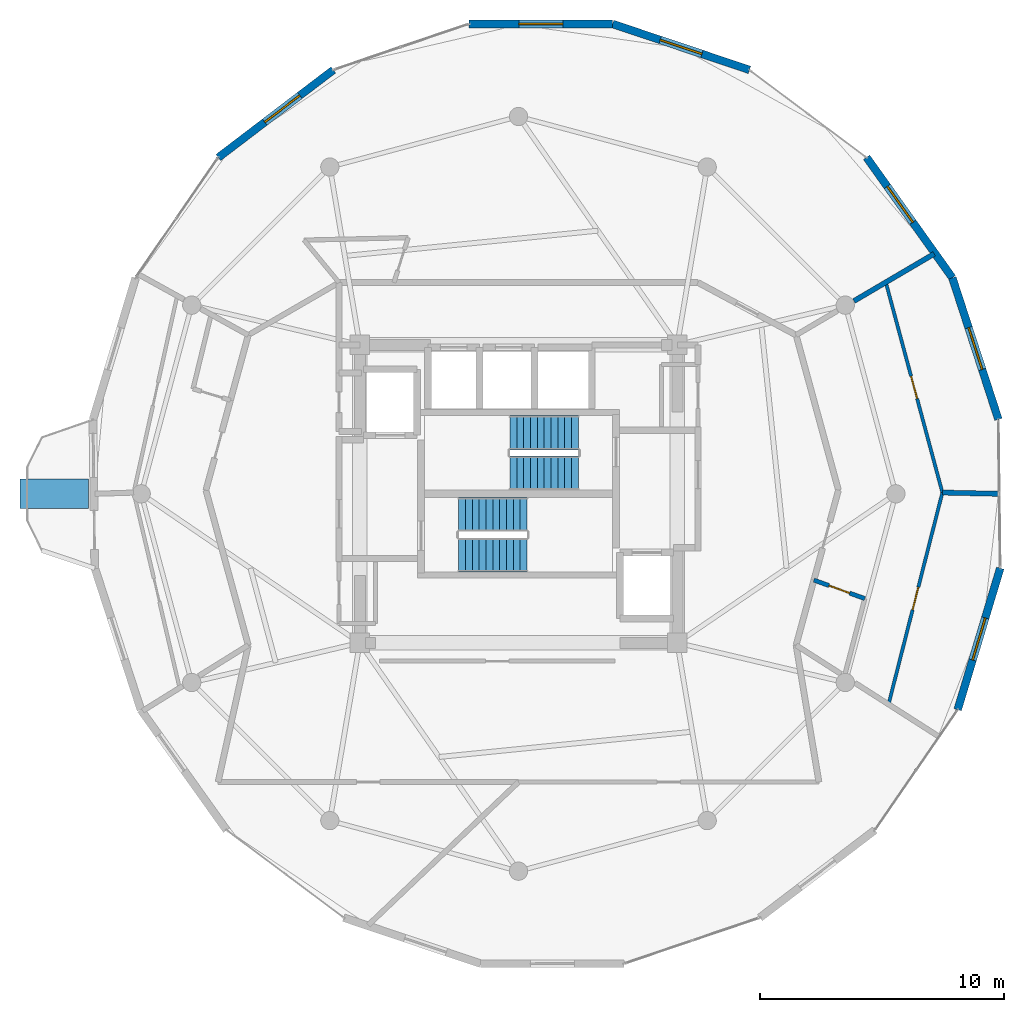
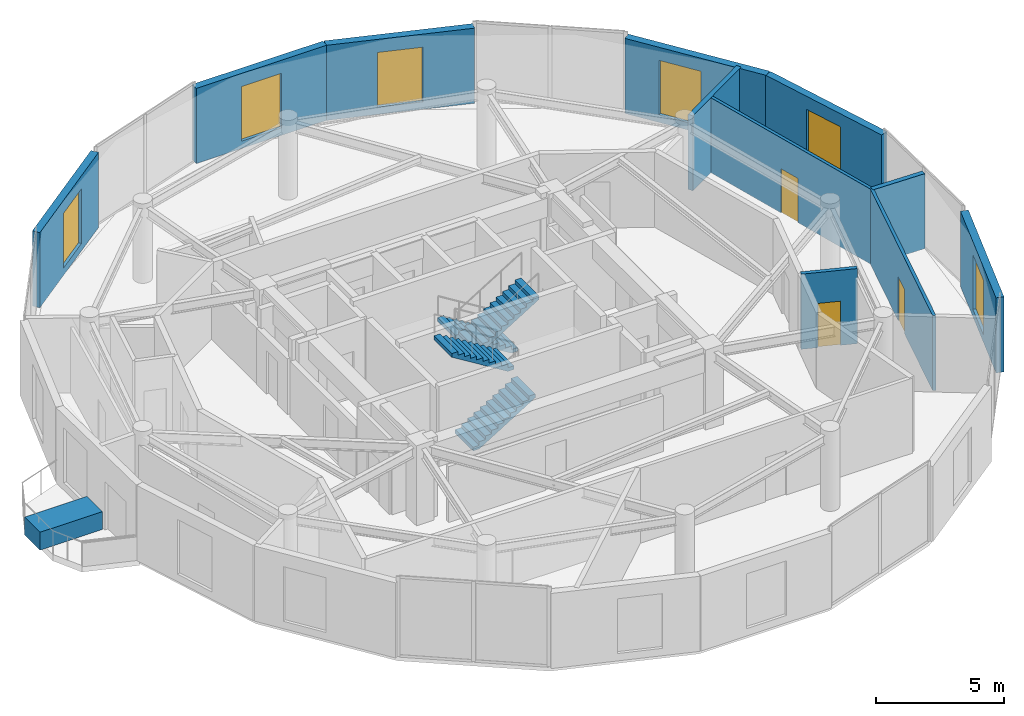
# One storey, part 16 of 18: 11 walls, 6 windows, 4 stair flights, 3 doors, 1 discrete accessory, 9 openings, 2 elements without a shape of their own.
"""IFC4 building model written with IfcOpenShell, lengths in metres."""

from ifc_helpers import new_model, si_unit, direction, frame, frame_2d, origin, origin_2d, place, context, subcontext, project, spatial, polyline, rectangle, outline, extrude, material, layer, layer_set, type_object, element, fill, aggregate, save


model = new_model("IFC4")

# Units and contexts
model_context = context("Model", 3, precision=1e-05, world=origin(), true_north=direction((0.0, 1.0)))
body_context = subcontext(model_context, "Body", "Model", "MODEL_VIEW")
ifc_project = project(units=[si_unit("LENGTHUNIT", "METRE"), si_unit("AREAUNIT", "SQUARE_METRE"), si_unit("VOLUMEUNIT", "CUBIC_METRE"), si_unit("PLANEANGLEUNIT", "RADIAN"), si_unit("MASSUNIT", "GRAM", prefix="KILO")], contexts=[model_context])

# Site, building, storey
site_placement = place(None, origin())
site = spatial("IfcSite", under=ifc_project, at=site_placement, CompositionType="ELEMENT")
building_placement = place(site_placement, origin())
building = spatial("IfcBuilding", under=site, at=building_placement, Name="Solvirekh Grand Hotel", CompositionType="ELEMENT")
storey_placement = place(building_placement, frame((0.0, 0.0, 250.60009765625)))
storey = spatial("IfcBuildingStorey", under=building, at=storey_placement, Name="L65", CompositionType="ELEMENT", Elevation=250.60009765625)

# Wall, opening, window
ifc_material_1 = material(Name="Precast concrete C45/55", Category="concrete")
ifc_layer_1 = layer(ifc_material_1, 0.320068359375)
ifc_layer_set_1 = layer_set([ifc_layer_1], Name="Precast concrete C45/55")
wall_type_1 = type_object("IfcWallType", Name="ExtLobbyWall_RC320", PredefinedType="SOLIDWALL", material=ifc_layer_set_1)
wall_1_placement = place(storey_placement, frame((19.72509765625, -3.044921875, 0.0), z_axis=(0.0, 0.0, 1.0), x_axis=(-0.288106265848, -0.957598443806, 0.0)))
wall_1 = element("IfcWall", 1, at=wall_1_placement, inside=storey, type_object=wall_type_1, Name="L65 exterior structural wall chord 4", PredefinedType="SOLIDWALL", context=body_context, shape_type="SweptSolid", body=[
    extrude(rectangle(XDim=6.0537109375, YDim=0.320068359375, at=frame_2d((3.02685546875, 0.0))), origin(), (0.0, 0.0, 1.0), 3.56982421875),
])
opening_1_placement = place(wall_1_placement, frame((2.126953125, 0.0, 0.35009765625)))
opening_1 = element("IfcOpeningElement", 2, at=opening_1_placement, cuts=wall_1, Name="Opening W02", PredefinedType="OPENING", context=body_context, shape_type="SweptSolid", body=[
    extrude(rectangle(XDim=1.800048828125, YDim=2.60009765625, at=frame_2d((0.89990234375, 1.300048828125))), frame((0.0, 0.169921875, 0.0), z_axis=(0.0, -1.0, 0.0), x_axis=(1.0, 0.0, 0.0)), (0.0, 0.0, 1.0), 0.340087890625),
])
ifc_material_2 = material(Name="Low-E Tinted Bronze Laminated Glass", Category="aluminium")
window_type = type_object("IfcWindowType", Name="Win_LobbyExt_1800X2600", PartitioningType="SINGLE_PANEL", PredefinedType="WINDOW", material=ifc_material_2)
window_1_placement = place(opening_1_placement, origin())
window_1 = element("IfcWindow", 3, at=window_1_placement, inside=storey, type_object=window_type, Name="L65 panoramic bronze-framed window 4", OverallHeight=2.60009765625, OverallWidth=1.800048828125, PartitioningType="SINGLE_PANEL", PredefinedType="WINDOW", context=body_context, shape_type="SweptSolid", body=[
    extrude(rectangle(XDim=1.800048828125, YDim=2.60009765625, at=frame_2d((0.89990234375, 1.300048828125))), frame((0.0, 0.030029296875, 0.0), z_axis=(0.0, -1.0, 0.0), x_axis=(1.0, 0.0, 0.0)), (0.0, 0.0, 1.0), 0.06005859375),
])
fill(opening_1, window_1)

wall_2_placement = place(storey_placement, frame((17.764892578125, 8.845947265625, 0.0), z_axis=(0.0, 0.0, 1.0), x_axis=(0.309238214559, -0.950984609053, 0.0)))
wall_2 = element("IfcWall", 4, at=wall_2_placement, inside=storey, type_object=wall_type_1, Name="L65 exterior structural wall chord 6", PredefinedType="SOLIDWALL", context=body_context, shape_type="SweptSolid", body=[
    extrude(rectangle(XDim=6.095703125, YDim=0.320068359375, at=frame_2d((3.0478515625, 0.0))), origin(), (0.0, 0.0, 1.0), 3.56982421875),
])
opening_2_placement = place(wall_2_placement, frame((2.14794921875, 0.0, 0.35009765625)))
opening_2 = element("IfcOpeningElement", 5, at=opening_2_placement, cuts=wall_2, Name="Opening W02", PredefinedType="OPENING", context=body_context, shape_type="SweptSolid", body=[
    extrude(rectangle(XDim=1.800048828125, YDim=2.60009765625, at=frame_2d((0.89990234375, 1.300048828125))), frame((0.0, 0.169921875, 0.0), z_axis=(0.0, -1.0, 0.0), x_axis=(1.0, 0.0, 0.0)), (0.0, 0.0, 1.0), 0.340087890625),
])
window_2_placement = place(opening_2_placement, origin())
window_2 = element("IfcWindow", 6, at=window_2_placement, inside=storey, type_object=window_type, Name="L65 panoramic bronze-framed window 6", OverallHeight=2.60009765625, OverallWidth=1.800048828125, PartitioningType="SINGLE_PANEL", PredefinedType="WINDOW", context=body_context, shape_type="SweptSolid", body=[
    extrude(rectangle(XDim=1.800048828125, YDim=2.60009765625, at=frame_2d((0.89990234375, 1.300048828125))), frame((0.0, 0.030029296875, 0.0), z_axis=(0.0, -1.0, 0.0), x_axis=(1.0, 0.0, 0.0)), (0.0, 0.0, 1.0), 0.06005859375),
])
fill(opening_2, window_2)

wall_3_placement = place(storey_placement, frame((14.2529296875, 13.77587890625, 0.0), z_axis=(0.0, 0.0, 1.0), x_axis=(0.5802075705, -0.814468645888, 0.0)))
wall_3 = element("IfcWall", 7, at=wall_3_placement, inside=storey, type_object=wall_type_1, Name="L65 exterior structural wall chord 7", PredefinedType="SOLIDWALL", context=body_context, shape_type="SweptSolid", body=[
    extrude(rectangle(XDim=6.052978515625, YDim=0.320068359375, at=frame_2d((3.0263671875, 0.0))), origin(), (0.0, 0.0, 1.0), 3.56982421875),
])
opening_3_placement = place(wall_3_placement, frame((1.4609375, 0.0, 0.35009765625)))
opening_3 = element("IfcOpeningElement", 8, at=opening_3_placement, cuts=wall_3, Name="Opening W02", PredefinedType="OPENING", context=body_context, shape_type="SweptSolid", body=[
    extrude(rectangle(XDim=1.800048828125, YDim=2.60009765625, at=frame_2d((0.89990234375, 1.300048828125))), frame((0.0, 0.169921875, 0.0), z_axis=(0.0, -1.0, 0.0), x_axis=(1.0, 0.0, 0.0)), (0.0, 0.0, 1.0), 0.340087890625),
])
window_3_placement = place(opening_3_placement, origin())
window_3 = element("IfcWindow", 9, at=window_3_placement, inside=storey, type_object=window_type, Name="L65 panoramic bronze-framed window 7", OverallHeight=2.60009765625, OverallWidth=1.800048828125, PartitioningType="SINGLE_PANEL", PredefinedType="WINDOW", context=body_context, shape_type="SweptSolid", body=[
    extrude(rectangle(XDim=1.800048828125, YDim=2.60009765625, at=frame_2d((0.89990234375, 1.300048828125))), frame((0.0, 0.030029296875, 0.0), z_axis=(0.0, -1.0, 0.0), x_axis=(1.0, 0.0, 0.0)), (0.0, 0.0, 1.0), 0.06005859375),
])
fill(opening_3, window_3)

wall_4_placement = place(storey_placement, frame((3.85107421875, 19.240966796875, 0.0), z_axis=(0.0, 0.0, 1.0), x_axis=(0.947983518986, -0.31831941149, 0.0)))
wall_4 = element("IfcWall", 10, at=wall_4_placement, inside=storey, type_object=wall_type_1, Name="L65 exterior structural wall chord 9", PredefinedType="SOLIDWALL", context=body_context, shape_type="SweptSolid", body=[
    extrude(rectangle(XDim=5.91552734375, YDim=0.320068359375, at=frame_2d((2.957763671875, 0.0))), origin(), (0.0, 0.0, 1.0), 3.56982421875),
])
opening_4_placement = place(wall_4_placement, frame((2.05810546875, 0.0, 0.35009765625)))
opening_4 = element("IfcOpeningElement", 11, at=opening_4_placement, cuts=wall_4, Name="Opening W02", PredefinedType="OPENING", context=body_context, shape_type="SweptSolid", body=[
    extrude(rectangle(XDim=1.800048828125, YDim=2.60009765625, at=frame_2d((0.89990234375, 1.300048828125))), frame((0.0, 0.169921875, 0.0), z_axis=(0.0, -1.0, 0.0), x_axis=(1.0, 0.0, 0.0)), (0.0, 0.0, 1.0), 0.340087890625),
])
window_4_placement = place(opening_4_placement, origin())
window_4 = element("IfcWindow", 12, at=window_4_placement, inside=storey, type_object=window_type, Name="L65 panoramic bronze-framed window 9", OverallHeight=2.60009765625, OverallWidth=1.800048828125, PartitioningType="SINGLE_PANEL", PredefinedType="WINDOW", context=body_context, shape_type="SweptSolid", body=[
    extrude(rectangle(XDim=1.800048828125, YDim=2.60009765625, at=frame_2d((0.89990234375, 1.300048828125))), frame((0.0, 0.030029296875, 0.0), z_axis=(0.0, -1.0, 0.0), x_axis=(1.0, 0.0, 0.0)), (0.0, 0.0, 1.0), 0.06005859375),
])
fill(opening_4, window_4)

wall_5_placement = place(storey_placement, frame((-2.02099609375, 19.239990234375, 0.0), z_axis=(0.0, 0.0, 1.0), x_axis=(0.999999986171, 0.000166306334, 0.0)))
wall_5 = element("IfcWall", 13, at=wall_5_placement, inside=storey, type_object=wall_type_1, Name="L65 exterior structural wall chord 10", PredefinedType="SOLIDWALL", context=body_context, shape_type="SweptSolid", body=[
    extrude(rectangle(XDim=5.8720703125, YDim=0.320068359375, at=frame_2d((2.93603515625, 0.0))), origin(), (0.0, 0.0, 1.0), 3.56982421875),
])
opening_5_placement = place(wall_5_placement, frame((2.035888671875, 0.0, 0.35009765625)))
opening_5 = element("IfcOpeningElement", 14, at=opening_5_placement, cuts=wall_5, Name="Opening W02", PredefinedType="OPENING", context=body_context, shape_type="SweptSolid", body=[
    extrude(rectangle(XDim=1.800048828125, YDim=2.60009765625, at=frame_2d((0.89990234375, 1.300048828125))), frame((0.0, 0.169921875, 0.0), z_axis=(0.0, -1.0, 0.0), x_axis=(1.0, 0.0, 0.0)), (0.0, 0.0, 1.0), 0.340087890625),
])
window_5_placement = place(opening_5_placement, origin())
window_5 = element("IfcWindow", 15, at=window_5_placement, inside=storey, type_object=window_type, Name="L65 panoramic bronze-framed window 10", OverallHeight=2.60009765625, OverallWidth=1.800048828125, PartitioningType="SINGLE_PANEL", PredefinedType="WINDOW", context=body_context, shape_type="SweptSolid", body=[
    extrude(rectangle(XDim=1.800048828125, YDim=2.60009765625, at=frame_2d((0.89990234375, 1.300048828125))), frame((0.0, 0.030029296875, 0.0), z_axis=(0.0, -1.0, 0.0), x_axis=(1.0, 0.0, 0.0)), (0.0, 0.0, 1.0), 0.06005859375),
])
fill(opening_5, window_5)

wall_6_placement = place(storey_placement, frame((-12.2900390625, 13.77294921875, 0.0), z_axis=(0.0, 0.0, 1.0), x_axis=(0.795700701096, 0.605690015004, 0.0)))
wall_6 = element("IfcWall", 16, at=wall_6_placement, inside=storey, type_object=wall_type_1, Name="L65 exterior structural wall chord 12", PredefinedType="SOLIDWALL", context=body_context, shape_type="SweptSolid", body=[
    extrude(rectangle(XDim=5.91552734375, YDim=0.320068359375, at=frame_2d((2.957763671875, 0.0))), origin(), (0.0, 0.0, 1.0), 3.56982421875),
])
opening_6_placement = place(wall_6_placement, frame((2.389892578125, 0.0, 0.35009765625)))
opening_6 = element("IfcOpeningElement", 17, at=opening_6_placement, cuts=wall_6, Name="Opening W02", PredefinedType="OPENING", context=body_context, shape_type="SweptSolid", body=[
    extrude(rectangle(XDim=1.800048828125, YDim=2.60009765625, at=frame_2d((0.89990234375, 1.300048828125))), frame((0.0, 0.169921875, 0.0), z_axis=(0.0, -1.0, 0.0), x_axis=(1.0, 0.0, 0.0)), (0.0, 0.0, 1.0), 0.340087890625),
])
window_6_placement = place(opening_6_placement, origin())
window_6 = element("IfcWindow", 18, at=window_6_placement, inside=storey, type_object=window_type, Name="L65 panoramic bronze-framed window 12", OverallHeight=2.60009765625, OverallWidth=1.800048828125, PartitioningType="SINGLE_PANEL", PredefinedType="WINDOW", context=body_context, shape_type="SweptSolid", body=[
    extrude(rectangle(XDim=1.800048828125, YDim=2.60009765625, at=frame_2d((0.89990234375, 1.300048828125))), frame((0.0, 0.030029296875, 0.0), z_axis=(0.0, -1.0, 0.0), x_axis=(1.0, 0.0, 0.0)), (0.0, 0.0, 1.0), 0.06005859375),
])
fill(opening_6, window_6)

# Wall, opening, door
ifc_material_3 = material(Name="Acoustic Gypsum Partition Assembly")
ifc_layer_2 = layer(ifc_material_3, 0.135009765625)
ifc_layer_set_2 = layer_set([ifc_layer_2], Name="Acoustic Gypsum Partition Assembly")
wall_type_2 = type_object("IfcWallType", Name="Part_RoomInt_135", PredefinedType="PARTITIONING", material=ifc_layer_set_2)
wall_7_placement = place(storey_placement, frame((15.15087890625, -8.62109375, 0.0), z_axis=(0.0, 0.0, 1.0), x_axis=(0.246404425265, 0.969167095608, 0.0)))
wall_7 = element("IfcWall", 19, at=wall_7_placement, inside=storey, type_object=wall_type_2, Name="L65 Executive Suite 6703 Living Room bedroom screen wall", PredefinedType="PARTITIONING", context=body_context, shape_type="SweptSolid", body=[
    extrude(rectangle(XDim=8.948974609375, YDim=0.135009765625, at=frame_2d((4.474609375, 0.0))), origin(), (0.0, 0.0, 1.0), 3.56982421875),
])
opening_7_placement = place(wall_7_placement, frame((3.9990234375, 0.0, 0.0)))
opening_7 = element("IfcOpeningElement", 20, at=opening_7_placement, cuts=wall_7, Name="Opening D10", PredefinedType="OPENING", context=body_context, shape_type="SweptSolid", body=[
    extrude(rectangle(XDim=0.949951171875, YDim=2.10009765625, at=frame_2d((0.47509765625, 1.050048828125))), frame((0.0, 0.07763671875, 0.0), z_axis=(0.0, -1.0, 0.0), x_axis=(1.0, 0.0, 0.0)), (0.0, 0.0, 1.0), 0.155029296875),
])
ifc_material_4 = material(Name="Anodized Bronze Aluminium 6063-T6", Category="aluminium")
door_type_1 = type_object("IfcDoorType", Name="Door_RoomInt_950X2100", OperationType="NOTDEFINED", PredefinedType="DOOR", material=ifc_material_4)
door_1_placement = place(opening_7_placement, origin())
door_1 = element("IfcDoor", 21, at=door_1_placement, inside=storey, type_object=door_type_1, Name="L65 Executive Suite 6703 Living Room master bedroom door", OperationType="SINGLE_SWING_LEFT", OverallHeight=2.10009765625, OverallWidth=0.949951171875, PredefinedType="DOOR", context=body_context, shape_type="SweptSolid", body=[
    extrude(rectangle(XDim=0.949951171875, YDim=2.10009765625, at=frame_2d((0.47509765625, 1.050048828125))), frame((0.0, 0.02490234375, 0.0), z_axis=(0.0, -1.0, 0.0), x_axis=(1.0, 0.0, 0.0)), (0.0, 0.0, 1.0), 0.050048828125),
])
fill(opening_7, door_1)

wall_8_placement = place(storey_placement, frame((17.35595703125, 0.052001953125, 0.0), z_axis=(0.0, 0.0, 1.0), x_axis=(-0.259846800499, 0.965649853866, 0.0)))
wall_8 = element("IfcWall", 22, at=wall_8_placement, inside=storey, type_object=wall_type_2, Name="L65 Executive Suite 6703 Panorama Suite Study bedroom screen wall", PredefinedType="PARTITIONING", context=body_context, shape_type="SweptSolid", body=[
    extrude(rectangle(XDim=8.91650390625, YDim=0.135009765625, at=frame_2d((4.458251953125, 0.0))), origin(), (0.0, 0.0, 1.0), 3.56982421875),
])
opening_8_placement = place(wall_8_placement, frame((3.98291015625, 0.0, 0.0)))
opening_8 = element("IfcOpeningElement", 23, at=opening_8_placement, cuts=wall_8, Name="Opening D10", PredefinedType="OPENING", context=body_context, shape_type="SweptSolid", body=[
    extrude(rectangle(XDim=0.949951171875, YDim=2.10009765625, at=frame_2d((0.47509765625, 1.050048828125))), frame((0.0, 0.07763671875, 0.0), z_axis=(0.0, -1.0, 0.0), x_axis=(1.0, 0.0, 0.0)), (0.0, 0.0, 1.0), 0.155029296875),
])
door_2_placement = place(opening_8_placement, origin())
door_2 = element("IfcDoor", 24, at=door_2_placement, inside=storey, type_object=door_type_1, Name="L65 Executive Suite 6703 Panorama Suite Study master bedroom door", OperationType="SINGLE_SWING_RIGHT", OverallHeight=2.10009765625, OverallWidth=0.949951171875, PredefinedType="DOOR", context=body_context, shape_type="SweptSolid", body=[
    extrude(rectangle(XDim=0.949951171875, YDim=2.10009765625, at=frame_2d((0.47509765625, 1.050048828125))), frame((0.0, 0.02490234375, 0.0), z_axis=(0.0, -1.0, 0.0), x_axis=(1.0, 0.0, 0.0)), (0.0, 0.0, 1.0), 0.050048828125),
])
fill(opening_8, door_2)

# Walls
ifc_layer_3 = layer(ifc_material_3, 0.2099609375)
ifc_layer_set_3 = layer_set([ifc_layer_3], Name="Acoustic Gypsum Partition Assembly")
wall_type_3 = type_object("IfcWallType", Name="Part_SuiteDemise_210", PredefinedType="PARTITIONING", material=ifc_layer_set_3)
wall_9_placement = place(storey_placement, frame((13.736083984375, 7.89501953125, 0.0), z_axis=(0.0, 0.0, 1.0), x_axis=(0.861896304209, 0.507084569664, 0.0)))
element("IfcWall", 25, at=wall_9_placement, inside=storey, type_object=wall_type_3, Name="L65 suite radial wall 2 (B)", PredefinedType="PARTITIONING", context=body_context, shape_type="SweptSolid", body=[
    extrude(rectangle(XDim=3.807861328125, YDim=0.2099609375, at=frame_2d((1.90380859375, 0.0))), origin(), (0.0, 0.0, 1.0), 3.56982421875),
])
wall_10_placement = place(storey_placement, frame((17.35595703125, 0.052001953125, 0.0), z_axis=(0.0, 0.0, 1.0), x_axis=(0.999742714437, -0.022682701126, 0.0)))
element("IfcWall", 26, at=wall_10_placement, inside=storey, type_object=wall_type_3, Name="L65 Executive Suite 6703 Living Room dividing partition 1", PredefinedType="PARTITIONING", context=body_context, shape_type="SweptSolid", body=[
    extrude(rectangle(XDim=2.29248046875, YDim=0.2099609375, at=frame_2d((1.146240234375, 0.0))), origin(), (0.0, 0.0, 1.0), 3.56982421875),
])

# Wall, opening, door
ifc_layer_4 = layer(ifc_material_3, 0.175048828125)
ifc_layer_set_4 = layer_set([ifc_layer_4], Name="Acoustic Gypsum Partition Assembly")
wall_type_4 = type_object("IfcWallType", Name="Plumb_Ensuite_175", PredefinedType="PLUMBINGWALL", material=ifc_layer_set_4)
wall_11_placement = place(storey_placement, frame((12.093994140625, -3.532958984375, 0.0), z_axis=(0.0, 0.0, 1.0), x_axis=(0.940040760774, -0.341062117633, 0.0)))
wall_11 = element("IfcWall", 27, at=wall_11_placement, inside=storey, type_object=wall_type_4, Name="L65 En-suite Bathroom 6703 entry plumbing wall", PredefinedType="PLUMBINGWALL", context=body_context, shape_type="SweptSolid", body=[
    extrude(rectangle(XDim=2.216796875, YDim=0.175048828125, at=frame_2d((1.1083984375, 0.0))), origin(), (0.0, 0.0, 1.0), 3.56982421875),
])
opening_9_placement = place(wall_11_placement, frame((0.657958984375, 0.0, 0.0)))
opening_9 = element("IfcOpeningElement", 28, at=opening_9_placement, cuts=wall_11, Name="Opening D09", PredefinedType="OPENING", context=body_context, shape_type="SweptSolid", body=[
    extrude(rectangle(XDim=0.89990234375, YDim=2.10009765625, at=frame_2d((0.449951171875, 1.050048828125))), frame((0.0, 0.09765625, 0.0), z_axis=(0.0, -1.0, 0.0), x_axis=(1.0, 0.0, 0.0)), (0.0, 0.0, 1.0), 0.195068359375),
])
door_type_2 = type_object("IfcDoorType", Name="Door_Ensuite_900X2100", OperationType="NOTDEFINED", PredefinedType="DOOR", material=ifc_material_4)
door_3_placement = place(opening_9_placement, origin())
door_3 = element("IfcDoor", 29, at=door_3_placement, inside=storey, type_object=door_type_2, Name="L65 En-suite Bathroom 6703 door", OperationType="SINGLE_SWING_LEFT", OverallHeight=2.10009765625, OverallWidth=0.89990234375, PredefinedType="DOOR", context=body_context, shape_type="SweptSolid", body=[
    extrude(rectangle(XDim=0.89990234375, YDim=2.10009765625, at=frame_2d((0.449951171875, 1.050048828125))), frame((0.0, 0.02490234375, 0.0), z_axis=(0.0, -1.0, 0.0), x_axis=(1.0, 0.0, 0.0)), (0.0, 0.0, 1.0), 0.050048828125),
])
fill(opening_9, door_3)

# Stair, stair flights
ifc_material_5 = material(Name="Concrete C40/50", Category="concrete")
stair_type = type_object("IfcStairType", Name="Stair_Core_1450", PredefinedType="HALF_TURN_STAIR", material=ifc_material_5)
stair_1_placement = place(storey_placement, origin())
stair_1 = element("IfcStair", 30, at=stair_1_placement, inside=storey, type_object=stair_type, Name="L65 Enclosed exit stair ST-1", PredefinedType="HALF_TURN_STAIR")
stair_flight_type = type_object("IfcStairFlightType", Name="Flight_Core_1450", PredefinedType="STRAIGHT", material=ifc_material_5)
stair_flight_1_placement = place(storey_placement, frame((-2.449951171875, -2.5, 0.0), z_axis=(0.0, 0.0, 1.0), x_axis=(1.0, 0.0, 0.0)))
stair_flight_1 = element("IfcStairFlight", 31, at=stair_flight_1_placement, type_object=stair_flight_type, Name="ST-1 flight 1", NumberOfRisers=11, NumberOfTreads=10, PredefinedType="STRAIGHT", RiserHeight=0.172727273, TreadLength=0.28, context=body_context, shape_type="SweptSolid", body=[
    extrude(outline(polyline([(0.0, 0.0), (0.0, 0.172607421875), (0.280029296875, 0.172607421875), (0.280029296875, 0.345458984375), (0.56005859375, 0.345458984375), (0.56005859375, 0.51806640625), (0.840087890625, 0.51806640625), (0.840087890625, 0.69091796875), (1.1201171875, 0.69091796875), (1.1201171875, 0.863525390625), (1.39990234375, 0.863525390625), (1.39990234375, 1.036376953125), (1.679931640625, 1.036376953125), (1.679931640625, 1.208984375), (1.9599609375, 1.208984375), (1.9599609375, 1.3818359375), (2.239990234375, 1.3818359375), (2.239990234375, 1.554443359375), (2.52001953125, 1.554443359375), (2.52001953125, 1.727294921875), (2.800048828125, 1.727294921875), (2.800048828125, 1.89990234375), (2.800048828125, 1.551025390625), (0.285400390625, 0.0), (0.0, 0.0)])), frame((0.0, 0.699951171875, 0.0), z_axis=(0.0, -1.0, 0.0), x_axis=(1.0, 0.0, 0.0)), (0.0, 0.0, 1.0), 1.39990234375),
])
stair_flight_2_placement = place(storey_placement, frame((0.35009765625, -0.85009765625, 1.89990234375), z_axis=(0.0, 0.0, 1.0), x_axis=(-1.0, 0.0, 0.0)))
stair_flight_2 = element("IfcStairFlight", 32, at=stair_flight_2_placement, type_object=stair_flight_type, Name="ST-1 flight 2", NumberOfRisers=11, NumberOfTreads=10, PredefinedType="STRAIGHT", RiserHeight=0.172727273, TreadLength=0.28, context=body_context, shape_type="SweptSolid", body=[
    extrude(outline(polyline([(0.0, 0.0), (0.0, 0.172607421875), (0.280029296875, 0.172607421875), (0.280029296875, 0.345458984375), (0.56005859375, 0.345458984375), (0.56005859375, 0.51806640625), (0.840087890625, 0.51806640625), (0.840087890625, 0.69091796875), (1.1201171875, 0.69091796875), (1.1201171875, 0.863525390625), (1.39990234375, 0.863525390625), (1.39990234375, 1.036376953125), (1.679931640625, 1.036376953125), (1.679931640625, 1.208984375), (1.9599609375, 1.208984375), (1.9599609375, 1.3818359375), (2.239990234375, 1.3818359375), (2.239990234375, 1.554443359375), (2.52001953125, 1.554443359375), (2.52001953125, 1.727294921875), (2.800048828125, 1.727294921875), (2.800048828125, 1.89990234375), (2.800048828125, 1.551025390625), (0.285400390625, 0.0), (0.0, 0.0)])), frame((0.0, 0.699951171875, 0.0), z_axis=(0.0, -1.0, 0.0), x_axis=(1.0, 0.0, 0.0)), (0.0, 0.0, 1.0), 1.39990234375),
])
aggregate(stair_1, [stair_flight_1, stair_flight_2])

stair_2_placement = place(storey_placement, origin())
stair_2 = element("IfcStair", 33, at=stair_2_placement, inside=storey, type_object=stair_type, Name="L65 Enclosed exit stair ST-2", PredefinedType="HALF_TURN_STAIR")
stair_flight_3_placement = place(storey_placement, frame((2.449951171875, 2.5, 0.0), z_axis=(0.0, 0.0, 1.0), x_axis=(-1.0, 0.0, 0.0)))
stair_flight_3 = element("IfcStairFlight", 34, at=stair_flight_3_placement, type_object=stair_flight_type, Name="ST-2 flight 1", NumberOfRisers=11, NumberOfTreads=10, PredefinedType="STRAIGHT", RiserHeight=0.172727273, TreadLength=0.28, context=body_context, shape_type="SweptSolid", body=[
    extrude(outline(polyline([(0.0, 0.0), (0.0, 0.172607421875), (0.280029296875, 0.172607421875), (0.280029296875, 0.345458984375), (0.56005859375, 0.345458984375), (0.56005859375, 0.51806640625), (0.840087890625, 0.51806640625), (0.840087890625, 0.69091796875), (1.1201171875, 0.69091796875), (1.1201171875, 0.863525390625), (1.39990234375, 0.863525390625), (1.39990234375, 1.036376953125), (1.679931640625, 1.036376953125), (1.679931640625, 1.208984375), (1.9599609375, 1.208984375), (1.9599609375, 1.3818359375), (2.239990234375, 1.3818359375), (2.239990234375, 1.554443359375), (2.52001953125, 1.554443359375), (2.52001953125, 1.727294921875), (2.800048828125, 1.727294921875), (2.800048828125, 1.89990234375), (2.800048828125, 1.551025390625), (0.285400390625, 0.0), (0.0, 0.0)])), frame((0.0, 0.699951171875, 0.0), z_axis=(0.0, -1.0, 0.0), x_axis=(1.0, 0.0, 0.0)), (0.0, 0.0, 1.0), 1.39990234375),
])
stair_flight_4_placement = place(storey_placement, frame((-0.35009765625, 0.85009765625, 1.89990234375), z_axis=(0.0, 0.0, 1.0), x_axis=(1.0, 0.0, 0.0)))
stair_flight_4 = element("IfcStairFlight", 35, at=stair_flight_4_placement, type_object=stair_flight_type, Name="ST-2 flight 2", NumberOfRisers=11, NumberOfTreads=10, PredefinedType="STRAIGHT", RiserHeight=0.172727273, TreadLength=0.28, context=body_context, shape_type="SweptSolid", body=[
    extrude(outline(polyline([(0.0, 0.0), (0.0, 0.172607421875), (0.280029296875, 0.172607421875), (0.280029296875, 0.345458984375), (0.56005859375, 0.345458984375), (0.56005859375, 0.51806640625), (0.840087890625, 0.51806640625), (0.840087890625, 0.69091796875), (1.1201171875, 0.69091796875), (1.1201171875, 0.863525390625), (1.39990234375, 0.863525390625), (1.39990234375, 1.036376953125), (1.679931640625, 1.036376953125), (1.679931640625, 1.208984375), (1.9599609375, 1.208984375), (1.9599609375, 1.3818359375), (2.239990234375, 1.3818359375), (2.239990234375, 1.554443359375), (2.52001953125, 1.554443359375), (2.52001953125, 1.727294921875), (2.800048828125, 1.727294921875), (2.800048828125, 1.89990234375), (2.800048828125, 1.551025390625), (0.285400390625, 0.0), (0.0, 0.0)])), frame((0.0, 0.699951171875, 0.0), z_axis=(0.0, -1.0, 0.0), x_axis=(1.0, 0.0, 0.0)), (0.0, 0.0, 1.0), 1.39990234375),
])
aggregate(stair_2, [stair_flight_3, stair_flight_4])

# Discrete accessory
discrete_accessory_type = type_object("IfcDiscreteAccessoryType", Name="Acc_PlanterBox", PredefinedType="USERDEFINED", material=ifc_material_1)
discrete_accessory_placement = place(storey_placement, frame((-19.011962890625, -0.001953125, -0.000244140625), z_axis=(0.0, 0.0, 1.0), x_axis=(0.0, 1.0, 0.0)))
element("IfcDiscreteAccessory", 36, at=discrete_accessory_placement, inside=storey, type_object=discrete_accessory_type, Name="L65 horn sky-garden tree planter", ObjectType="PLANTER", PredefinedType="USERDEFINED", context=body_context, shape_type="SweptSolid", body=[
    extrude(rectangle(XDim=1.199951171875, YDim=2.800048828125, at=origin_2d()), origin(), (0.0, 0.0, 1.0), 0.85009765625),
])

save(model, "model.ifc")
